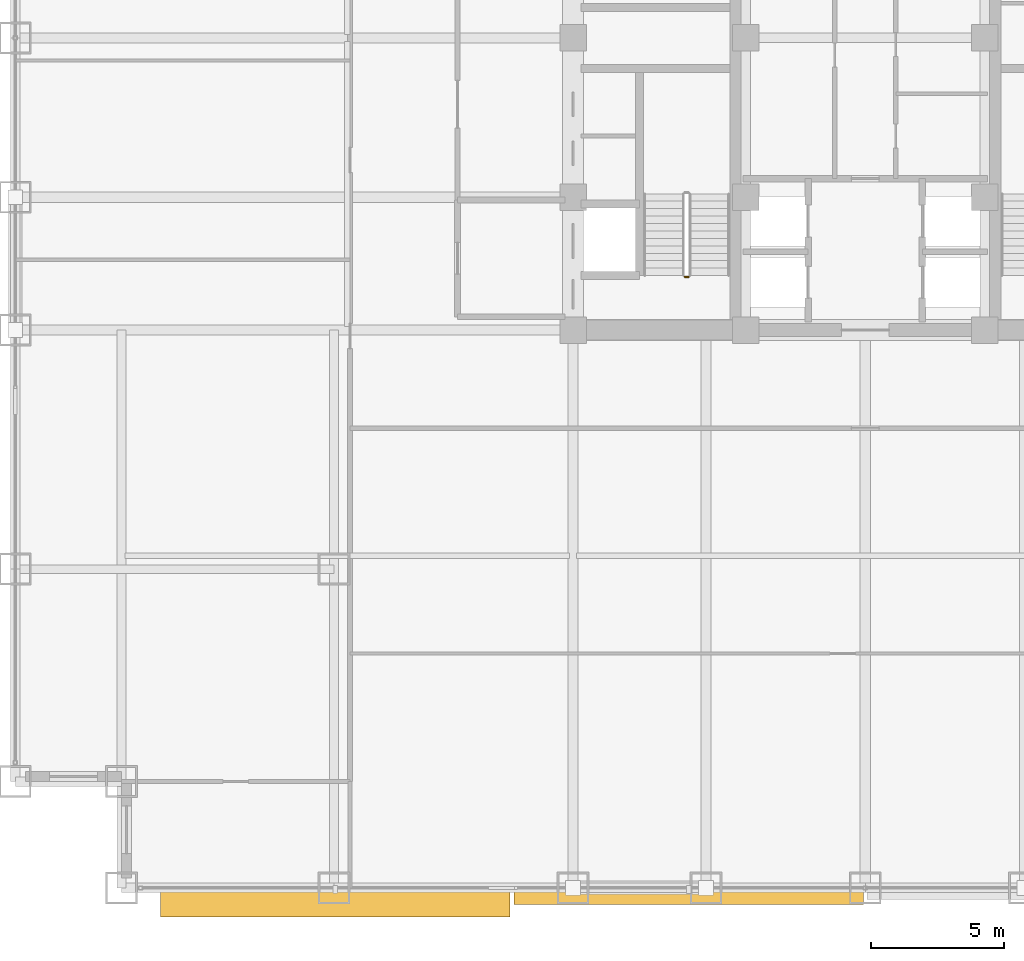
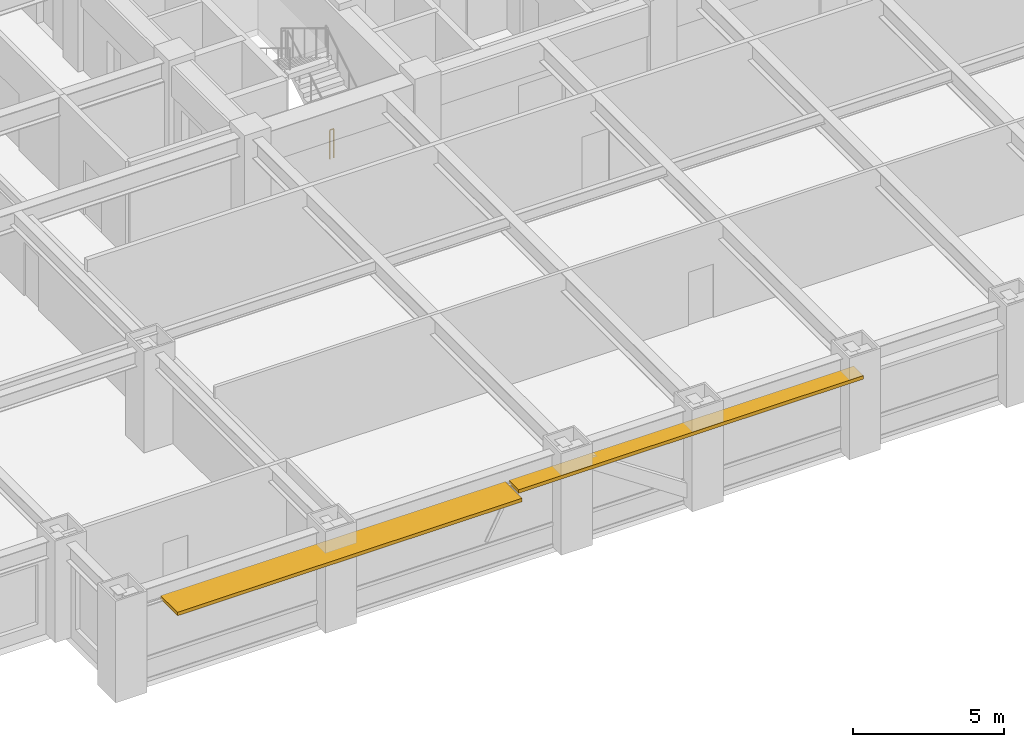
# One storey, part 28 of 32: 2 shading devices, 1 railing.
"""IFC4 building model written with IfcOpenShell, lengths in metres."""

from ifc_helpers import new_model, si_unit, direction, frame, origin, origin_2d, place, context, subcontext, project, spatial, rectangle, circle, extrude, source, transform, mapped, material, layer, layer_set, type_object, element, save


model = new_model("IFC4")

# Units and contexts
model_context = context("Model", 3, precision=1e-05, world=origin(), true_north=direction((0.0, 1.0)))
body_context = subcontext(model_context, "Body", "Model", "MODEL_VIEW")
ifc_project = project(units=[si_unit("LENGTHUNIT", "METRE"), si_unit("AREAUNIT", "SQUARE_METRE"), si_unit("VOLUMEUNIT", "CUBIC_METRE"), si_unit("PLANEANGLEUNIT", "RADIAN"), si_unit("MASSUNIT", "GRAM", prefix="KILO")], contexts=[model_context])

# Site, building, storey
site_placement = place(None, origin())
site = spatial("IfcSite", under=ifc_project, at=site_placement, CompositionType="ELEMENT")
building_placement = place(site_placement, origin())
building = spatial("IfcBuilding", under=site, at=building_placement, Name="Khorayat Bourse Tower", CompositionType="ELEMENT")
storey_placement = place(building_placement, frame((0.0, 0.0, 95.5)))
storey = spatial("IfcBuildingStorey", under=building, at=storey_placement, Name="L21", CompositionType="ELEMENT", Elevation=95.5)

# Shading devices
ifc_material_1 = material(Name="Precast concrete C45/55", Category="concrete")
ifc_layer = layer(ifc_material_1, 0.139892578125)
ifc_layer_set = layer_set([ifc_layer], Name="Precast concrete C45/55")
shading_device_type = type_object("IfcShadingDeviceType", Name="SHD-WAVE-TRAY-B", PredefinedType="USERDEFINED", material=ifc_layer_set)
shared_shape_1 = source(origin(), body_context, "Body", "SweptSolid", [
    extrude(rectangle(XDim=13.159912109375, YDim=0.63818359375, at=origin_2d()), origin(), (0.0, 0.0, 1.0), 0.139892578125),
])
shading_device_1_placement = place(storey_placement, frame((-6.64990234375, -32.299072265625, 3.08984375), z_axis=(0.0, 0.0, 1.0), x_axis=(1.0, 0.0, 0.0)))
element("IfcShadingDevice", 1, at=shading_device_1_placement, inside=storey, type_object=shading_device_type, Name="L21 Sinusoidal Wave Sunshade Tray S-2", ObjectType="SUNSHADE", PredefinedType="USERDEFINED", context=body_context, shape_type="MappedRepresentation", body=[
    mapped(shared_shape_1, transform((0.0, 0.0, 0.0), scale=1.0)),
])
shared_shape_2 = source(origin(), body_context, "Body", "SweptSolid", [
    extrude(rectangle(XDim=13.159912109375, YDim=1.115478515625, at=origin_2d()), origin(), (0.0, 0.0, 1.0), 0.139892578125),
])
shading_device_2_placement = place(storey_placement, frame((-19.949951171875, -32.53759765625, 3.08984375), z_axis=(0.0, 0.0, 1.0), x_axis=(1.0, 0.0, 0.0)))
element("IfcShadingDevice", 2, at=shading_device_2_placement, inside=storey, type_object=shading_device_type, Name="L21 Sinusoidal Wave Sunshade Tray S-1", ObjectType="SUNSHADE", PredefinedType="USERDEFINED", context=body_context, shape_type="MappedRepresentation", body=[
    mapped(shared_shape_2, transform((0.0, 0.0, 0.0), scale=1.0)),
])

# Railing
ifc_material_2 = material(Name="Powder-coated steel balustrade", Category="steel")
railing_type = type_object("IfcRailingType", Name="RLG-GUARD-1200", PredefinedType="GUARDRAIL", material=ifc_material_2)
shared_shape_3 = source(origin(), body_context, "Body", "SweptSolid", [
    extrude(circle(Radius=0.02392578125, at=origin_2d()), frame((0.0, 0.0, 1.17578125), z_axis=(-1.0, 0.0, 0.0), x_axis=(0.0, -1.0, 0.0)), (0.0, 0.0, 1.0), 0.150146484375),
    extrude(circle(Radius=0.02099609375, at=origin_2d()), origin(), (0.0, 0.0, 1.0), 1.15185546875),
    extrude(circle(Radius=0.02099609375, at=origin_2d()), frame((-0.150146484375, 0.0, 0.0)), (0.0, 0.0, 1.0), 1.15185546875),
])
railing_placement = place(storey_placement, frame((-6.64990234375, -9.0, 0.0)))
element("IfcRailing", 3, at=railing_placement, inside=storey, type_object=railing_type, Name="L21 ST-1 stair guard 4", PredefinedType="GUARDRAIL", context=body_context, shape_type="MappedRepresentation", body=[
    mapped(shared_shape_3, transform((0.0, 0.0, 0.0), scale=1.0)),
])

save(model, "model.ifc")
